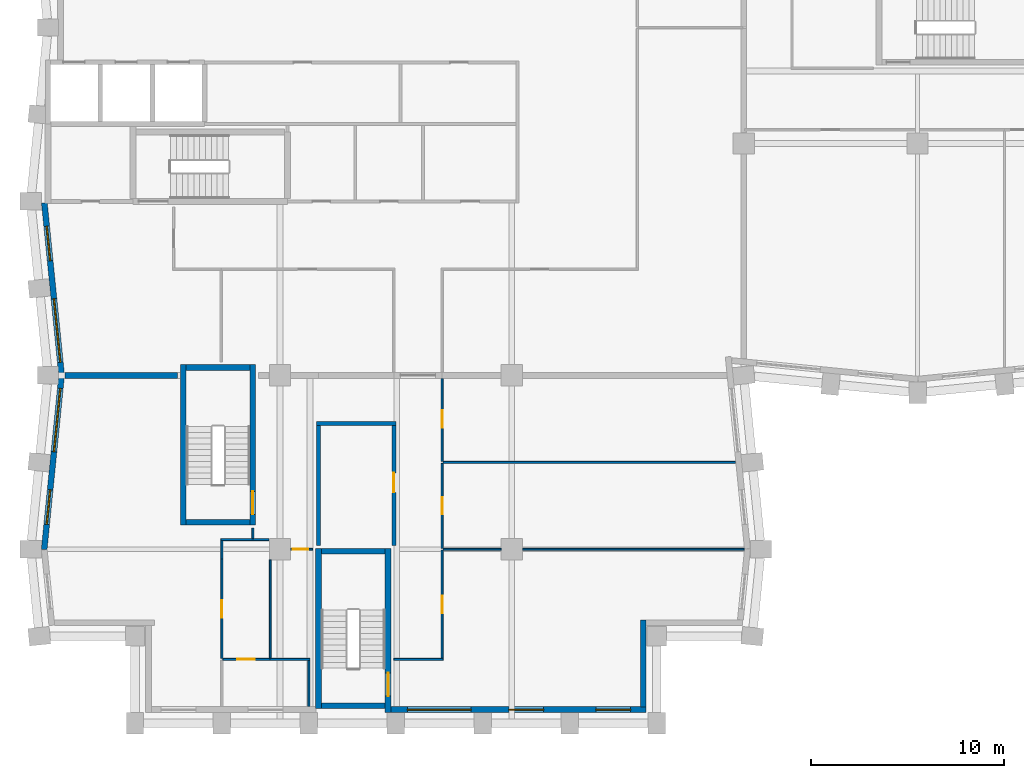
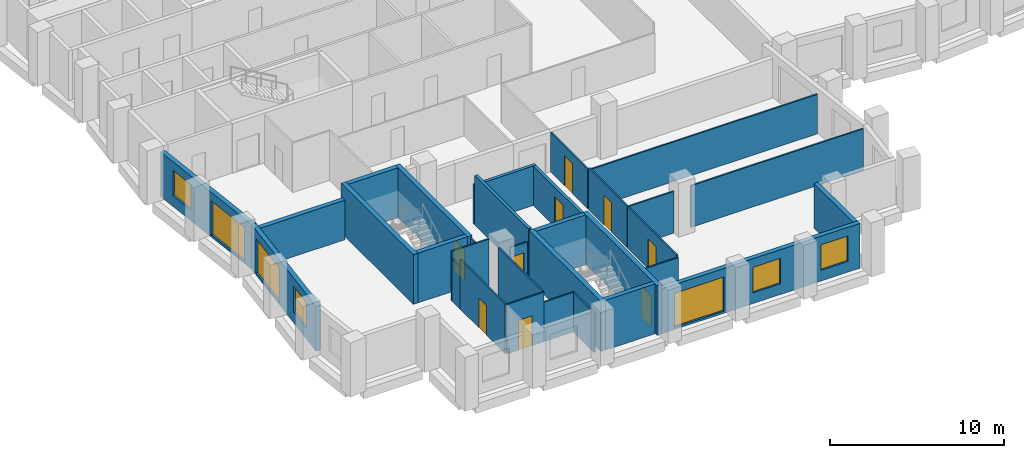
# One storey, part 3 of 10: 32 walls, 9 doors, 7 windows, 16 openings.
"""IFC4 building model written with IfcOpenShell, lengths in metres."""

from ifc_helpers import new_model, si_unit, direction, frame, frame_2d, origin, place, context, subcontext, project, spatial, rectangle, extrude, material, layer, layer_set, type_object, element, fill, save


model = new_model("IFC4")

# Units and contexts
model_context = context("Model", 3, precision=1e-05, world=origin(), true_north=direction((0.0, 1.0)))
body_context = subcontext(model_context, "Body", "Model", "MODEL_VIEW")
ifc_project = project(units=[si_unit("LENGTHUNIT", "METRE"), si_unit("AREAUNIT", "SQUARE_METRE"), si_unit("VOLUMEUNIT", "CUBIC_METRE"), si_unit("PLANEANGLEUNIT", "RADIAN"), si_unit("MASSUNIT", "GRAM", prefix="KILO")], contexts=[model_context])

# Site, building, storey
site_placement = place(None, origin())
site = spatial("IfcSite", under=ifc_project, at=site_placement, CompositionType="ELEMENT")
building_placement = place(site_placement, origin())
building = spatial("IfcBuilding", under=site, at=building_placement, Name="Brondeck Convention Tower", CompositionType="ELEMENT")
storey_placement = place(building_placement, frame((0.0, 0.0, 162.39990234375)))
storey = spatial("IfcBuildingStorey", under=building, at=storey_placement, Name="L39", CompositionType="ELEMENT", Elevation=162.39990234375)

# Wall
ifc_material_1 = material(Name="Concrete compartment wall C30/37", Category="concrete")
ifc_layer_1 = layer(ifc_material_1, 0.300048828125)
ifc_layer_set_1 = layer_set([ifc_layer_1], Name="Compartment wall 300")
wall_type_1 = type_object("IfcWallType", Name="Compartment wall 300", PredefinedType="PARTITIONING", material=ifc_layer_set_1)
wall_1_placement = place(storey_placement, frame((0.8740234375, 27.0, 0.0), z_axis=(0.0, 0.0, 1.0), x_axis=(1.0, 0.0, 0.0)))
element("IfcWall", 1, at=wall_1_placement, inside=storey, type_object=wall_type_1, Name="FLR-L39-W022", PredefinedType="PARTITIONING", context=body_context, shape_type="SweptSolid", body=[
    extrude(rectangle(XDim=5.825927734375, YDim=0.300048828125, at=frame_2d((2.9130859375, 0.0))), origin(), (0.0, 0.0, 1.0), 2.780029296875),
])

# Wall, openings, windows
ifc_material_2 = material(Name="Precast concrete C50/60 bronze finish", Category="concrete")
ifc_layer_2 = layer(ifc_material_2, 0.070068359375, Name="Bronze precast facing")
ifc_material_3 = material(Name="Mineral wool")
ifc_layer_3 = layer(ifc_material_3, 0.159912109375, Name="Insulation")
ifc_material_4 = material(Name="Concrete C35/45", Category="concrete")
ifc_layer_4 = layer(ifc_material_4, 0.070068359375, Name="Backing")
ifc_layer_set_2 = layer_set([ifc_layer_2, ifc_layer_3, ifc_layer_4], Name="External infill wall, precast concrete C50/60 bronze facing")
wall_type_2 = type_object("IfcWallType", Name="External infill wall, precast concrete C50/60 bronze facing", PredefinedType="SOLIDWALL", material=ifc_layer_set_2)
wall_2_placement = place(storey_placement, frame((30.949951171875, 9.699951171875, 0.0), z_axis=(0.0, 0.0, 1.0), x_axis=(-1.0, 0.0, 0.0)))
wall_2 = element("IfcWall", 2, at=wall_2_placement, inside=storey, type_object=wall_type_2, Name="ENV-EW-L39-P1-B-S9-04", PredefinedType="SOLIDWALL", context=body_context, shape_type="SweptSolid", body=[
    extrude(rectangle(XDim=13.199951171875, YDim=0.300048828125, at=frame_2d((6.60009765625, 0.0))), origin(), (0.0, 0.0, 1.0), 3.150146484375),
])
opening_1_placement = place(wall_2_placement, frame((0.800048828125, 0.0, 0.75)))
opening_1 = element("IfcOpeningElement", 3, at=opening_1_placement, cuts=wall_2, Name="Opening W10", PredefinedType="OPENING", context=body_context, shape_type="SweptSolid", body=[
    extrude(rectangle(XDim=1.800048828125, YDim=1.800048828125, at=frame_2d((0.89990234375, 0.89990234375))), frame((0.0, 0.159912109375, 0.0), z_axis=(0.0, -1.0, 0.0), x_axis=(1.0, 0.0, 0.0)), (0.0, 0.0, 1.0), 0.320068359375),
])
opening_2_placement = place(wall_2_placement, frame((5.300048828125, 0.0, 0.75)))
opening_2 = element("IfcOpeningElement", 4, at=opening_2_placement, cuts=wall_2, Name="Opening W10", PredefinedType="OPENING", context=body_context, shape_type="SweptSolid", body=[
    extrude(rectangle(XDim=1.800048828125, YDim=1.800048828125, at=frame_2d((0.89990234375, 0.89990234375))), frame((0.0, 0.159912109375, 0.0), z_axis=(0.0, -1.0, 0.0), x_axis=(1.0, 0.0, 0.0)), (0.0, 0.0, 1.0), 0.320068359375),
])
opening_3_placement = place(wall_2_placement, frame((9.050048828125, 0.0, 0.14990234375)))
opening_3 = element("IfcOpeningElement", 5, at=opening_3_placement, cuts=wall_2, Name="Opening W9", PredefinedType="OPENING", context=body_context, shape_type="SweptSolid", body=[
    extrude(rectangle(XDim=3.300048828125, YDim=2.39990234375, at=frame_2d((1.64990234375, 1.199951171875))), frame((0.0, 0.159912109375, 0.0), z_axis=(0.0, -1.0, 0.0), x_axis=(1.0, 0.0, 0.0)), (0.0, 0.0, 1.0), 0.320068359375),
])
ifc_material_5 = material(Name="Bronze tinted double glazing", Category="glass")
window_type_1 = type_object("IfcWindowType", Name="Glazed flute window, bronze tinted", PartitioningType="SINGLE_PANEL", PredefinedType="WINDOW", material=ifc_material_5)
window_1_placement = place(opening_3_placement, origin())
window_1 = element("IfcWindow", 6, at=window_1_placement, inside=storey, type_object=window_type_1, Name="ENV-WN-L39-P1-B-S9-04", OverallHeight=2.39990234375, OverallWidth=3.300048828125, PartitioningType="SINGLE_PANEL", PredefinedType="WINDOW", context=body_context, shape_type="SweptSolid", body=[
    extrude(rectangle(XDim=3.300048828125, YDim=2.39990234375, at=frame_2d((1.64990234375, 1.199951171875))), frame((0.0, 0.030029296875, 0.0), z_axis=(0.0, -1.0, 0.0), x_axis=(1.0, 0.0, 0.0)), (0.0, 0.0, 1.0), 0.06005859375),
])
fill(opening_3, window_1)
window_type_2 = type_object("IfcWindowType", Name="Punched window, bronze tinted", PartitioningType="SINGLE_PANEL", PredefinedType="WINDOW", material=ifc_material_5)
window_2_placement = place(opening_1_placement, origin())
window_2 = element("IfcWindow", 7, at=window_2_placement, inside=storey, type_object=window_type_2, Name="ENV-WN-L39-P1-B-S9-06", OverallHeight=1.800048828125, OverallWidth=1.800048828125, PartitioningType="SINGLE_PANEL", PredefinedType="WINDOW", context=body_context, shape_type="SweptSolid", body=[
    extrude(rectangle(XDim=1.800048828125, YDim=1.800048828125, at=frame_2d((0.89990234375, 0.89990234375))), frame((0.0, 0.030029296875, 0.0), z_axis=(0.0, -1.0, 0.0), x_axis=(1.0, 0.0, 0.0)), (0.0, 0.0, 1.0), 0.06005859375),
])
fill(opening_1, window_2)
window_3_placement = place(opening_2_placement, origin())
window_3 = element("IfcWindow", 8, at=window_3_placement, inside=storey, type_object=window_type_2, Name="ENV-WN-L39-P1-B-S9-05", OverallHeight=1.800048828125, OverallWidth=1.800048828125, PartitioningType="SINGLE_PANEL", PredefinedType="WINDOW", context=body_context, shape_type="SweptSolid", body=[
    extrude(rectangle(XDim=1.800048828125, YDim=1.800048828125, at=frame_2d((0.89990234375, 0.89990234375))), frame((0.0, 0.030029296875, 0.0), z_axis=(0.0, -1.0, 0.0), x_axis=(1.0, 0.0, 0.0)), (0.0, 0.0, 1.0), 0.06005859375),
])
fill(opening_2, window_3)

# Wall
wall_3_placement = place(storey_placement, frame((30.800048828125, 14.35009765625, 0.0), z_axis=(0.0, 0.0, 1.0), x_axis=(0.0, -1.0, 0.0)))
element("IfcWall", 9, at=wall_3_placement, inside=storey, type_object=wall_type_2, Name="ENV-EW-L39-P1-NC-SEB9-01", PredefinedType="SOLIDWALL", context=body_context, shape_type="SweptSolid", body=[
    extrude(rectangle(XDim=4.502197265625, YDim=0.300048828125, at=frame_2d((2.2509765625, 0.0))), origin(), (0.0, 0.0, 1.0), 3.150146484375),
])

# Wall, openings, windows
wall_4_placement = place(storey_placement, frame((0.705078125, 26.985107421875, 0.0), z_axis=(0.0, 0.0, 1.0), x_axis=(-0.099533329093, 0.995034228758, 0.0)))
wall_4 = element("IfcWall", 10, at=wall_4_placement, inside=storey, type_object=wall_type_2, Name="ENV-EW-L39-P1-B-W-06", PredefinedType="SOLIDWALL", context=body_context, shape_type="SweptSolid", body=[
    extrude(rectangle(XDim=8.97998046875, YDim=0.300048828125, at=frame_2d((4.489990234375, 0.0))), origin(), (0.0, 0.0, 1.0), 3.150146484375),
])
opening_4_placement = place(wall_4_placement, frame((0.6962890625, 0.0, 0.14990234375)))
opening_4 = element("IfcOpeningElement", 11, at=opening_4_placement, cuts=wall_4, Name="Opening W9", PredefinedType="OPENING", context=body_context, shape_type="SweptSolid", body=[
    extrude(rectangle(XDim=3.300048828125, YDim=2.39990234375, at=frame_2d((1.64990234375, 1.199951171875))), frame((0.0, 0.159912109375, 0.0), z_axis=(0.0, -1.0, 0.0), x_axis=(1.0, 0.0, 0.0)), (0.0, 0.0, 1.0), 0.320068359375),
])
opening_5_placement = place(wall_4_placement, frame((5.968505859375, 0.0, 0.75)))
opening_5 = element("IfcOpeningElement", 12, at=opening_5_placement, cuts=wall_4, Name="Opening W10", PredefinedType="OPENING", context=body_context, shape_type="SweptSolid", body=[
    extrude(rectangle(XDim=1.800048828125, YDim=1.800048828125, at=frame_2d((0.89990234375, 0.89990234375))), frame((0.0, 0.159912109375, 0.0), z_axis=(0.0, -1.0, 0.0), x_axis=(1.0, 0.0, 0.0)), (0.0, 0.0, 1.0), 0.320068359375),
])
window_4_placement = place(opening_4_placement, origin())
window_4 = element("IfcWindow", 13, at=window_4_placement, inside=storey, type_object=window_type_1, Name="ENV-WN-L39-P1-B-W-07", OverallHeight=2.39990234375, OverallWidth=3.300048828125, PartitioningType="SINGLE_PANEL", PredefinedType="WINDOW", context=body_context, shape_type="SweptSolid", body=[
    extrude(rectangle(XDim=3.300048828125, YDim=2.39990234375, at=frame_2d((1.64990234375, 1.199951171875))), frame((0.0, 0.030029296875, 0.0), z_axis=(0.0, -1.0, 0.0), x_axis=(1.0, 0.0, 0.0)), (0.0, 0.0, 1.0), 0.06005859375),
])
fill(opening_4, window_4)
window_5_placement = place(opening_5_placement, origin())
window_5 = element("IfcWindow", 14, at=window_5_placement, inside=storey, type_object=window_type_2, Name="ENV-WN-L39-P1-B-W-06", OverallHeight=1.800048828125, OverallWidth=1.800048828125, PartitioningType="SINGLE_PANEL", PredefinedType="WINDOW", context=body_context, shape_type="SweptSolid", body=[
    extrude(rectangle(XDim=1.800048828125, YDim=1.800048828125, at=frame_2d((0.89990234375, 0.89990234375))), frame((0.0, 0.030029296875, 0.0), z_axis=(0.0, -1.0, 0.0), x_axis=(1.0, 0.0, 0.0)), (0.0, 0.0, 1.0), 0.06005859375),
])
fill(opening_5, window_5)

wall_5_placement = place(storey_placement, frame((-0.197998046875, 17.985107421875, 0.0), z_axis=(0.0, 0.0, 1.0), x_axis=(0.099495688264, 0.995037993253, 0.0)))
wall_5 = element("IfcWall", 15, at=wall_5_placement, inside=storey, type_object=wall_type_2, Name="ENV-EW-L39-P1-B-W-08", PredefinedType="SOLIDWALL", context=body_context, shape_type="SweptSolid", body=[
    extrude(rectangle(XDim=9.030029296875, YDim=0.300048828125, at=frame_2d((4.51513671875, 0.0))), origin(), (0.0, 0.0, 1.0), 3.150146484375),
])
opening_6_placement = place(wall_5_placement, frame((1.30615234375, 0.0, 0.75)))
opening_6 = element("IfcOpeningElement", 16, at=opening_6_placement, cuts=wall_5, Name="Opening W10", PredefinedType="OPENING", context=body_context, shape_type="SweptSolid", body=[
    extrude(rectangle(XDim=1.800048828125, YDim=1.800048828125, at=frame_2d((0.89990234375, 0.89990234375))), frame((0.0, 0.159912109375, 0.0), z_axis=(0.0, -1.0, 0.0), x_axis=(1.0, 0.0, 0.0)), (0.0, 0.0, 1.0), 0.320068359375),
])
opening_7_placement = place(wall_5_placement, frame((5.07861328125, 0.0, 0.14990234375)))
opening_7 = element("IfcOpeningElement", 17, at=opening_7_placement, cuts=wall_5, Name="Opening W9", PredefinedType="OPENING", context=body_context, shape_type="SweptSolid", body=[
    extrude(rectangle(XDim=3.300048828125, YDim=2.39990234375, at=frame_2d((1.64990234375, 1.199951171875))), frame((0.0, 0.159912109375, 0.0), z_axis=(0.0, -1.0, 0.0), x_axis=(1.0, 0.0, 0.0)), (0.0, 0.0, 1.0), 0.320068359375),
])
window_6_placement = place(opening_7_placement, origin())
window_6 = element("IfcWindow", 18, at=window_6_placement, inside=storey, type_object=window_type_1, Name="ENV-WN-L39-P1-B-W-08", OverallHeight=2.39990234375, OverallWidth=3.300048828125, PartitioningType="SINGLE_PANEL", PredefinedType="WINDOW", context=body_context, shape_type="SweptSolid", body=[
    extrude(rectangle(XDim=3.300048828125, YDim=2.39990234375, at=frame_2d((1.64990234375, 1.199951171875))), frame((0.0, 0.030029296875, 0.0), z_axis=(0.0, -1.0, 0.0), x_axis=(1.0, 0.0, 0.0)), (0.0, 0.0, 1.0), 0.06005859375),
])
fill(opening_7, window_6)
window_7_placement = place(opening_6_placement, origin())
window_7 = element("IfcWindow", 19, at=window_7_placement, inside=storey, type_object=window_type_2, Name="ENV-WN-L39-P1-B-W-09", OverallHeight=1.800048828125, OverallWidth=1.800048828125, PartitioningType="SINGLE_PANEL", PredefinedType="WINDOW", context=body_context, shape_type="SweptSolid", body=[
    extrude(rectangle(XDim=1.800048828125, YDim=1.800048828125, at=frame_2d((0.89990234375, 0.89990234375))), frame((0.0, 0.030029296875, 0.0), z_axis=(0.0, -1.0, 0.0), x_axis=(1.0, 0.0, 0.0)), (0.0, 0.0, 1.0), 0.06005859375),
])
fill(opening_6, window_7)

# Wall, opening, door
ifc_material_6 = material(Name="Concrete block wall C16/20", Category="concrete")
ifc_layer_5 = layer(ifc_material_6, 0.199951171875)
ifc_layer_set_3 = layer_set([ifc_layer_5], Name="Plant room wall 200")
wall_type_3 = type_object("IfcWallType", Name="Plant room wall 200", PredefinedType="PARTITIONING", material=ifc_layer_set_3)
wall_6_placement = place(storey_placement, frame((17.89990234375, 18.199951171875, 0.0), z_axis=(0.0, 0.0, 1.0), x_axis=(0.0, 1.0, 0.0)))
wall_6 = element("IfcWall", 20, at=wall_6_placement, inside=storey, type_object=wall_type_3, Name="FLR-L39-W014", PredefinedType="PARTITIONING", context=body_context, shape_type="SweptSolid", body=[
    extrude(rectangle(XDim=6.199951171875, YDim=0.199951171875, at=frame_2d((3.10009765625, 0.0))), origin(), (0.0, 0.0, 1.0), 2.780029296875),
])
opening_8_placement = place(wall_6_placement, frame((2.75, 0.0, 0.0)))
opening_8 = element("IfcOpeningElement", 21, at=opening_8_placement, cuts=wall_6, Name="Opening OF-G-003", PredefinedType="OPENING", context=body_context, shape_type="SweptSolid", body=[
    extrude(rectangle(XDim=1.0, YDim=2.10009765625, at=frame_2d((0.5, 1.050048828125))), frame((0.0, 0.10986328125, 0.0), z_axis=(0.0, -1.0, 0.0), x_axis=(1.0, 0.0, 0.0)), (0.0, 0.0, 1.0), 0.219970703125),
])
ifc_material_7 = material(Name="Steel fire door leaf", Category="steel")
door_type_1 = type_object("IfcDoorType", Name="Plant room door 1000", OperationType="NOTDEFINED", PredefinedType="DOOR", material=ifc_material_7)
door_1_placement = place(opening_8_placement, origin())
door_1 = element("IfcDoor", 22, at=door_1_placement, inside=storey, type_object=door_type_1, Name="Door OF-G-003", OperationType="SINGLE_SWING_LEFT", OverallHeight=2.10009765625, OverallWidth=1.0, PredefinedType="DOOR", context=body_context, shape_type="SweptSolid", body=[
    extrude(rectangle(XDim=1.0, YDim=2.10009765625, at=frame_2d((0.5, 1.050048828125))), frame((0.0, 0.02490234375, 0.0), z_axis=(0.0, -1.0, 0.0), x_axis=(1.0, 0.0, 0.0)), (0.0, 0.0, 1.0), 0.050048828125),
])
fill(opening_8, door_1)

# Walls
wall_7_placement = place(storey_placement, frame((14.0, 24.39990234375, 0.0), z_axis=(0.0, 0.0, 1.0), x_axis=(0.0, -1.0, 0.0)))
element("IfcWall", 23, at=wall_7_placement, inside=storey, type_object=wall_type_3, Name="FLR-L39-W019", PredefinedType="PARTITIONING", context=body_context, shape_type="SweptSolid", body=[
    extrude(rectangle(XDim=6.199951171875, YDim=0.199951171875, at=frame_2d((3.10009765625, 0.0))), origin(), (0.0, 0.0, 1.0), 3.47998046875),
])
wall_8_placement = place(storey_placement, frame((18.0, 24.5, 0.0), z_axis=(0.0, 0.0, 1.0), x_axis=(-1.0, 0.0, 0.0)))
element("IfcWall", 24, at=wall_8_placement, inside=storey, type_object=wall_type_3, Name="FLR-L39-W020", PredefinedType="PARTITIONING", context=body_context, shape_type="SweptSolid", body=[
    extrude(rectangle(XDim=4.10009765625, YDim=0.199951171875, at=frame_2d((2.050048828125, 0.0))), origin(), (0.0, 0.0, 1.0), 2.780029296875),
])
ifc_material_8 = material(Name="Gypsum board partition on steel studs", Category="steel")
ifc_layer_6 = layer(ifc_material_8, 0.10009765625)
ifc_layer_set_4 = layer_set([ifc_layer_6], Name="Room partition 100")
wall_type_4 = type_object("IfcWallType", Name="Room partition 100", PredefinedType="PARTITIONING", material=ifc_layer_set_4)
wall_9_placement = place(storey_placement, frame((13.5, 12.25, 0.0), z_axis=(0.0, 0.0, 1.0), x_axis=(0.0, -1.0, 0.0)))
element("IfcWall", 25, at=wall_9_placement, inside=storey, type_object=wall_type_4, Name="FLR-L39-W003", PredefinedType="PARTITIONING", context=body_context, shape_type="SweptSolid", body=[
    extrude(rectangle(XDim=2.3798828125, YDim=0.10009765625, at=frame_2d((1.18994140625, 0.0))), origin(), (0.0, 0.0, 1.0), 2.780029296875),
])

# Wall, opening, door
wall_10_placement = place(storey_placement, frame((11.5, 12.300048828125, 0.0), z_axis=(0.0, 0.0, 1.0), x_axis=(-1.0, 0.0, 0.0)))
wall_10 = element("IfcWall", 26, at=wall_10_placement, inside=storey, type_object=wall_type_4, Name="FLR-L39-W004", PredefinedType="PARTITIONING", context=body_context, shape_type="SweptSolid", body=[
    extrude(rectangle(XDim=2.449951171875, YDim=0.10009765625, at=frame_2d((1.22509765625, 0.0))), origin(), (0.0, 0.0, 1.0), 3.47998046875),
])
opening_9_placement = place(wall_10_placement, frame((0.800048828125, 0.0, 0.0)))
opening_9 = element("IfcOpeningElement", 27, at=opening_9_placement, cuts=wall_10, Name="Opening OF-G-001", PredefinedType="OPENING", context=body_context, shape_type="SweptSolid", body=[
    extrude(rectangle(XDim=0.89990234375, YDim=2.10009765625, at=frame_2d((0.449951171875, 1.050048828125))), frame((0.0, 0.06005859375, 0.0), z_axis=(0.0, -1.0, 0.0), x_axis=(1.0, 0.0, 0.0)), (0.0, 0.0, 1.0), 0.1201171875),
])
ifc_material_9 = material(Name="Solid timber door leaf", Category="wood")
door_type_2 = type_object("IfcDoorType", Name="Single door 900", OperationType="NOTDEFINED", PredefinedType="DOOR", material=ifc_material_9)
door_2_placement = place(opening_9_placement, origin())
door_2 = element("IfcDoor", 28, at=door_2_placement, inside=storey, type_object=door_type_2, Name="Door OF-G-001", OperationType="SINGLE_SWING_RIGHT", OverallHeight=2.10009765625, OverallWidth=0.89990234375, PredefinedType="DOOR", context=body_context, shape_type="SweptSolid", body=[
    extrude(rectangle(XDim=0.89990234375, YDim=2.10009765625, at=frame_2d((0.449951171875, 1.050048828125))), frame((0.0, 0.02490234375, 0.0), z_axis=(0.0, -1.0, 0.0), x_axis=(1.0, 0.0, 0.0)), (0.0, 0.0, 1.0), 0.050048828125),
])
fill(opening_9, door_2)

# Walls
wall_11_placement = place(storey_placement, frame((11.5, 12.300048828125, 0.0), z_axis=(0.0, 0.0, 1.0), x_axis=(1.0, 0.0, 0.0)))
element("IfcWall", 29, at=wall_11_placement, inside=storey, type_object=wall_type_4, Name="FLR-L39-W005", PredefinedType="PARTITIONING", context=body_context, shape_type="SweptSolid", body=[
    extrude(rectangle(XDim=2.050048828125, YDim=0.10009765625, at=frame_2d((1.02490234375, 0.0))), origin(), (0.0, 0.0, 1.0), 2.780029296875),
])
wall_12_placement = place(storey_placement, frame((20.449951171875, 12.300048828125, 0.0), z_axis=(0.0, 0.0, 1.0), x_axis=(-1.0, 0.0, 0.0)))
element("IfcWall", 30, at=wall_12_placement, inside=storey, type_object=wall_type_4, Name="FLR-L39-W006", PredefinedType="PARTITIONING", context=body_context, shape_type="SweptSolid", body=[
    extrude(rectangle(XDim=2.550048828125, YDim=0.10009765625, at=frame_2d((1.27490234375, 0.0))), origin(), (0.0, 0.0, 1.0), 2.780029296875),
])

# Wall, opening, door
wall_13_placement = place(storey_placement, frame((9.0, 12.35009765625, 0.0), z_axis=(0.0, 0.0, 1.0), x_axis=(0.0, 1.0, 0.0)))
wall_13 = element("IfcWall", 31, at=wall_13_placement, inside=storey, type_object=wall_type_4, Name="FLR-L39-W007", PredefinedType="PARTITIONING", context=body_context, shape_type="SweptSolid", body=[
    extrude(rectangle(XDim=5.14990234375, YDim=0.10009765625, at=frame_2d((2.574951171875, 0.0))), origin(), (0.0, 0.0, 1.0), 3.47998046875),
])
opening_10_placement = place(wall_13_placement, frame((2.10009765625, 0.0, 0.0)))
opening_10 = element("IfcOpeningElement", 32, at=opening_10_placement, cuts=wall_13, Name="Opening OF-G-012", PredefinedType="OPENING", context=body_context, shape_type="SweptSolid", body=[
    extrude(rectangle(XDim=0.89990234375, YDim=2.10009765625, at=frame_2d((0.449951171875, 1.050048828125))), frame((0.0, 0.06005859375, 0.0), z_axis=(0.0, -1.0, 0.0), x_axis=(1.0, 0.0, 0.0)), (0.0, 0.0, 1.0), 0.1201171875),
])
door_3_placement = place(opening_10_placement, origin())
door_3 = element("IfcDoor", 33, at=door_3_placement, inside=storey, type_object=door_type_2, Name="Door OF-G-012", OperationType="SINGLE_SWING_RIGHT", OverallHeight=2.10009765625, OverallWidth=0.89990234375, PredefinedType="DOOR", context=body_context, shape_type="SweptSolid", body=[
    extrude(rectangle(XDim=0.89990234375, YDim=2.10009765625, at=frame_2d((0.449951171875, 1.050048828125))), frame((0.0, 0.02490234375, 0.0), z_axis=(0.0, -1.0, 0.0), x_axis=(1.0, 0.0, 0.0)), (0.0, 0.0, 1.0), 0.050048828125),
])
fill(opening_10, door_3)

# Walls
wall_14_placement = place(storey_placement, frame((11.5, 17.445068359375, 0.0), z_axis=(0.0, 0.0, 1.0), x_axis=(0.0, -1.0, 0.0)))
element("IfcWall", 34, at=wall_14_placement, inside=storey, type_object=wall_type_4, Name="FLR-L39-W008", PredefinedType="PARTITIONING", context=body_context, shape_type="SweptSolid", body=[
    extrude(rectangle(XDim=5.094970703125, YDim=0.10009765625, at=frame_2d((2.54736328125, 0.0))), origin(), (0.0, 0.0, 1.0), 3.47998046875),
])
wall_15_placement = place(storey_placement, frame((9.0, 17.5, 0.0), z_axis=(0.0, 0.0, 1.0), x_axis=(0.0, 1.0, 0.0)))
element("IfcWall", 35, at=wall_15_placement, inside=storey, type_object=wall_type_4, Name="FLR-L39-W009", PredefinedType="PARTITIONING", context=body_context, shape_type="SweptSolid", body=[
    extrude(rectangle(XDim=0.949951171875, YDim=0.10009765625, at=frame_2d((0.47509765625, 0.0))), origin(), (0.0, 0.0, 1.0), 2.93017578125),
])

# Wall, opening, door
wall_16_placement = place(storey_placement, frame((20.39990234375, 17.949951171875, 0.0), z_axis=(0.0, 0.0, 1.0), x_axis=(0.0, -1.0, 0.0)))
wall_16 = element("IfcWall", 36, at=wall_16_placement, inside=storey, type_object=wall_type_4, Name="FLR-L39-W010", PredefinedType="PARTITIONING", context=body_context, shape_type="SweptSolid", body=[
    extrude(rectangle(XDim=5.599853515625, YDim=0.10009765625, at=frame_2d((2.7998046875, 0.0))), origin(), (0.0, 0.0, 1.0), 2.93017578125),
])
opening_11_placement = place(wall_16_placement, frame((2.35009765625, 0.0, 0.0)))
opening_11 = element("IfcOpeningElement", 37, at=opening_11_placement, cuts=wall_16, Name="Opening OF-G-011", PredefinedType="OPENING", context=body_context, shape_type="SweptSolid", body=[
    extrude(rectangle(XDim=0.89990234375, YDim=2.10009765625, at=frame_2d((0.449951171875, 1.050048828125))), frame((0.0, 0.06005859375, 0.0), z_axis=(0.0, -1.0, 0.0), x_axis=(1.0, 0.0, 0.0)), (0.0, 0.0, 1.0), 0.1201171875),
])
door_4_placement = place(opening_11_placement, origin())
door_4 = element("IfcDoor", 38, at=door_4_placement, inside=storey, type_object=door_type_2, Name="Door OF-G-011", OperationType="SINGLE_SWING_LEFT", OverallHeight=2.10009765625, OverallWidth=0.89990234375, PredefinedType="DOOR", context=body_context, shape_type="SweptSolid", body=[
    extrude(rectangle(XDim=0.89990234375, YDim=2.10009765625, at=frame_2d((0.449951171875, 1.050048828125))), frame((0.0, 0.02490234375, 0.0), z_axis=(0.0, -1.0, 0.0), x_axis=(1.0, 0.0, 0.0)), (0.0, 0.0, 1.0), 0.050048828125),
])
fill(opening_11, door_4)

wall_17_placement = place(storey_placement, frame((13.699951171875, 18.0, 0.0), z_axis=(0.0, 0.0, 1.0), x_axis=(-1.0, 0.0, 0.0)))
wall_17 = element("IfcWall", 39, at=wall_17_placement, inside=storey, type_object=wall_type_4, Name="FLR-L39-W011", PredefinedType="PARTITIONING", context=body_context, shape_type="SweptSolid", body=[
    extrude(rectangle(XDim=1.14501953125, YDim=0.10009765625, at=frame_2d((0.572509765625, 0.0))), origin(), (0.0, 0.0, 1.0), 2.780029296875),
])
opening_12_placement = place(wall_17_placement, frame((0.2451171875, 0.0, 0.0)))
opening_12 = element("IfcOpeningElement", 40, at=opening_12_placement, cuts=wall_17, Name="Opening OF-G-004", PredefinedType="OPENING", context=body_context, shape_type="SweptSolid", body=[
    extrude(rectangle(XDim=0.800048828125, YDim=2.10009765625, at=frame_2d((0.39990234375, 1.050048828125))), frame((0.0, 0.06005859375, 0.0), z_axis=(0.0, -1.0, 0.0), x_axis=(1.0, 0.0, 0.0)), (0.0, 0.0, 1.0), 0.1201171875),
])
ifc_material_10 = material(Name="Steel service door leaf", Category="steel")
door_type_3 = type_object("IfcDoorType", Name="Service door 800", OperationType="NOTDEFINED", PredefinedType="DOOR", material=ifc_material_10)
door_5_placement = place(opening_12_placement, origin())
door_5 = element("IfcDoor", 41, at=door_5_placement, inside=storey, type_object=door_type_3, Name="Door OF-G-004", OperationType="SINGLE_SWING_LEFT", OverallHeight=2.10009765625, OverallWidth=0.800048828125, PredefinedType="DOOR", context=body_context, shape_type="SweptSolid", body=[
    extrude(rectangle(XDim=0.800048828125, YDim=2.10009765625, at=frame_2d((0.39990234375, 1.050048828125))), frame((0.0, 0.02490234375, 0.0), z_axis=(0.0, -1.0, 0.0), x_axis=(1.0, 0.0, 0.0)), (0.0, 0.0, 1.0), 0.050048828125),
])
fill(opening_12, door_5)

# Walls
wall_18_placement = place(storey_placement, frame((23.445068359375, 18.0, 0.0), z_axis=(0.0, 0.0, 1.0), x_axis=(-1.0, 0.0, 0.0)))
element("IfcWall", 42, at=wall_18_placement, inside=storey, type_object=wall_type_4, Name="FLR-L39-W012", PredefinedType="PARTITIONING", context=body_context, shape_type="SweptSolid", body=[
    extrude(rectangle(XDim=2.9951171875, YDim=0.10009765625, at=frame_2d((1.49755859375, 0.0))), origin(), (0.0, 0.0, 1.0), 2.93017578125),
])
wall_19_placement = place(storey_placement, frame((36.02587890625, 18.0, 0.0), z_axis=(0.0, 0.0, 1.0), x_axis=(-1.0, 0.0, 0.0)))
element("IfcWall", 43, at=wall_19_placement, inside=storey, type_object=wall_type_4, Name="FLR-L39-W013", PredefinedType="PARTITIONING", context=body_context, shape_type="SweptSolid", body=[
    extrude(rectangle(XDim=11.470947265625, YDim=0.10009765625, at=frame_2d((5.7353515625, 0.0))), origin(), (0.0, 0.0, 1.0), 2.93017578125),
])
wall_20_placement = place(storey_placement, frame((8.949951171875, 18.5, 0.0), z_axis=(0.0, 0.0, 1.0), x_axis=(1.0, 0.0, 0.0)))
element("IfcWall", 44, at=wall_20_placement, inside=storey, type_object=wall_type_4, Name="FLR-L39-W015", PredefinedType="PARTITIONING", context=body_context, shape_type="SweptSolid", body=[
    extrude(rectangle(XDim=2.47998046875, YDim=0.10009765625, at=frame_2d((1.239990234375, 0.0))), origin(), (0.0, 0.0, 1.0), 3.47998046875),
])
wall_21_placement = place(storey_placement, frame((10.60009765625, 18.550048828125, 0.0), z_axis=(0.0, 0.0, 1.0), x_axis=(0.0, 1.0, 0.0)))
element("IfcWall", 45, at=wall_21_placement, inside=storey, type_object=wall_type_4, Name="FLR-L39-W016", PredefinedType="PARTITIONING", context=body_context, shape_type="SweptSolid", body=[
    extrude(rectangle(XDim=0.550048828125, YDim=0.10009765625, at=frame_2d((0.27490234375, 0.0))), origin(), (0.0, 0.0, 1.0), 3.47998046875),
])

# Wall, opening, door
wall_22_placement = place(storey_placement, frame((20.39990234375, 22.449951171875, 0.0), z_axis=(0.0, 0.0, 1.0), x_axis=(0.0, -1.0, 0.0)))
wall_22 = element("IfcWall", 46, at=wall_22_placement, inside=storey, type_object=wall_type_4, Name="FLR-L39-W017", PredefinedType="PARTITIONING", context=body_context, shape_type="SweptSolid", body=[
    extrude(rectangle(XDim=4.39990234375, YDim=0.10009765625, at=frame_2d((2.199951171875, 0.0))), origin(), (0.0, 0.0, 1.0), 2.93017578125),
])
opening_13_placement = place(wall_22_placement, frame((1.75, 0.0, 0.0)))
opening_13 = element("IfcOpeningElement", 47, at=opening_13_placement, cuts=wall_22, Name="Opening OF-G-010", PredefinedType="OPENING", context=body_context, shape_type="SweptSolid", body=[
    extrude(rectangle(XDim=0.89990234375, YDim=2.10009765625, at=frame_2d((0.449951171875, 1.050048828125))), frame((0.0, 0.06005859375, 0.0), z_axis=(0.0, -1.0, 0.0), x_axis=(1.0, 0.0, 0.0)), (0.0, 0.0, 1.0), 0.1201171875),
])
door_6_placement = place(opening_13_placement, origin())
door_6 = element("IfcDoor", 48, at=door_6_placement, inside=storey, type_object=door_type_2, Name="Door OF-G-010", OperationType="SINGLE_SWING_RIGHT", OverallHeight=2.10009765625, OverallWidth=0.89990234375, PredefinedType="DOOR", context=body_context, shape_type="SweptSolid", body=[
    extrude(rectangle(XDim=0.89990234375, YDim=2.10009765625, at=frame_2d((0.449951171875, 1.050048828125))), frame((0.0, 0.02490234375, 0.0), z_axis=(0.0, -1.0, 0.0), x_axis=(1.0, 0.0, 0.0)), (0.0, 0.0, 1.0), 0.050048828125),
])
fill(opening_13, door_6)

# Wall
wall_23_placement = place(storey_placement, frame((35.57568359375, 22.5, 0.0), z_axis=(0.0, 0.0, 1.0), x_axis=(-1.0, 0.0, 0.0)))
element("IfcWall", 49, at=wall_23_placement, inside=storey, type_object=wall_type_4, Name="FLR-L39-W018", PredefinedType="PARTITIONING", context=body_context, shape_type="SweptSolid", body=[
    extrude(rectangle(XDim=15.125732421875, YDim=0.10009765625, at=frame_2d((7.56298828125, 0.0))), origin(), (0.0, 0.0, 1.0), 2.780029296875),
])

# Wall, opening, door
wall_24_placement = place(storey_placement, frame((20.39990234375, 26.830078125, 0.0), z_axis=(0.0, 0.0, 1.0), x_axis=(0.0, -1.0, 0.0)))
wall_24 = element("IfcWall", 50, at=wall_24_placement, inside=storey, type_object=wall_type_4, Name="FLR-L39-W021", PredefinedType="PARTITIONING", context=body_context, shape_type="SweptSolid", body=[
    extrude(rectangle(XDim=4.280029296875, YDim=0.10009765625, at=frame_2d((2.14013671875, 0.0))), origin(), (0.0, 0.0, 1.0), 2.780029296875),
])
opening_14_placement = place(wall_24_placement, frame((1.6298828125, 0.0, 0.0)))
opening_14 = element("IfcOpeningElement", 51, at=opening_14_placement, cuts=wall_24, Name="Opening OF-G-009", PredefinedType="OPENING", context=body_context, shape_type="SweptSolid", body=[
    extrude(rectangle(XDim=0.89990234375, YDim=2.10009765625, at=frame_2d((0.449951171875, 1.050048828125))), frame((0.0, 0.06005859375, 0.0), z_axis=(0.0, -1.0, 0.0), x_axis=(1.0, 0.0, 0.0)), (0.0, 0.0, 1.0), 0.1201171875),
])
door_7_placement = place(opening_14_placement, origin())
door_7 = element("IfcDoor", 52, at=door_7_placement, inside=storey, type_object=door_type_2, Name="Door OF-G-009", OperationType="SINGLE_SWING_LEFT", OverallHeight=2.10009765625, OverallWidth=0.89990234375, PredefinedType="DOOR", context=body_context, shape_type="SweptSolid", body=[
    extrude(rectangle(XDim=0.89990234375, YDim=2.10009765625, at=frame_2d((0.449951171875, 1.050048828125))), frame((0.0, 0.02490234375, 0.0), z_axis=(0.0, -1.0, 0.0), x_axis=(1.0, 0.0, 0.0)), (0.0, 0.0, 1.0), 0.050048828125),
])
fill(opening_14, door_7)

# Walls
ifc_material_11 = material(Name="Concrete C70/85", Category="concrete")
ifc_layer_7 = layer(ifc_material_11, 0.300048828125)
ifc_layer_set_5 = layer_set([ifc_layer_7], Name="Stair enclosure wall 300 Concrete C70/85")
wall_type_5 = type_object("IfcWallType", Name="Stair enclosure wall 300 Concrete C70/85", PredefinedType="SHEAR", material=ifc_layer_set_5)
for number, where, z_axis, x_axis, name in (
    (53, (14.14990234375, 9.89990234375, 0.0), (0.0, 0.0, 1.0), (1.0, 0.0, 0.0), "L39 core wall"),
    (54, (14.14990234375, 17.89990234375, 0.0), (0.0, 0.0, 1.0), (1.0, 0.0, 0.0), "L39 core wall"),
    (55, (7.14990234375, 19.39990234375, 0.0), (0.0, 0.0, 1.0), (1.0, 0.0, 0.0), "L39 core wall"),
    (56, (7.14990234375, 27.39990234375, 0.0), (0.0, 0.0, 1.0), (1.0, 0.0, 0.0), "L39 core wall"),
):
    element("IfcWall", number, at=place(storey_placement, frame(where, z_axis=z_axis, x_axis=x_axis)), inside=storey, type_object=wall_type_5, Name=name, PredefinedType="SHEAR", context=body_context, shape_type="SweptSolid", body=[
        extrude(rectangle(XDim=3.300048828125, YDim=0.300048828125, at=frame_2d((1.64990234375, 0.0))), origin(), (0.0, 0.0, 1.0), 3.5),
    ])
wall_25_placement = place(storey_placement, frame((7.0, 19.25, 0.0), z_axis=(0.0, 0.0, 1.0), x_axis=(0.0, 1.0, 0.0)))
element("IfcWall", 57, at=wall_25_placement, inside=storey, type_object=wall_type_5, Name="L39 core wall", PredefinedType="SHEAR", context=body_context, shape_type="SweptSolid", body=[
    extrude(rectangle(XDim=8.300048828125, YDim=0.300048828125, at=frame_2d((4.14990234375, 0.0))), origin(), (0.0, 0.0, 1.0), 3.5),
])

# Wall, opening, door
wall_26_placement = place(storey_placement, frame((10.60009765625, 19.25, 0.0), z_axis=(0.0, 0.0, 1.0), x_axis=(0.0, 1.0, 0.0)))
wall_26 = element("IfcWall", 58, at=wall_26_placement, inside=storey, type_object=wall_type_5, Name="L39 core wall", PredefinedType="SHEAR", context=body_context, shape_type="SweptSolid", body=[
    extrude(rectangle(XDim=8.300048828125, YDim=0.300048828125, at=frame_2d((4.14990234375, 0.0))), origin(), (0.0, 0.0, 1.0), 3.5),
])
opening_15_placement = place(wall_26_placement, frame((0.550048828125, 0.0, 0.0)))
opening_15 = element("IfcOpeningElement", 59, at=opening_15_placement, cuts=wall_26, Name="Opening C22-17", PredefinedType="OPENING", context=body_context, shape_type="SweptSolid", body=[
    extrude(rectangle(XDim=1.199951171875, YDim=2.199951171875, at=frame_2d((0.60009765625, 1.10009765625))), frame((0.0, 0.159912109375, 0.0), z_axis=(0.0, -1.0, 0.0), x_axis=(1.0, 0.0, 0.0)), (0.0, 0.0, 1.0), 0.320068359375),
])
ifc_material_12 = material(Name="Steel fire door", Category="steel")
door_type_4 = type_object("IfcDoorType", Name="Stair door 1200x2200 EI 90", OperationType="NOTDEFINED", PredefinedType="DOOR", material=ifc_material_12)
door_8_placement = place(opening_15_placement, origin())
door_8 = element("IfcDoor", 60, at=door_8_placement, inside=storey, type_object=door_type_4, Name="L39 Stair door ST-BE", OperationType="SINGLE_SWING_RIGHT", OverallHeight=2.199951171875, OverallWidth=1.199951171875, PredefinedType="DOOR", context=body_context, shape_type="SweptSolid", body=[
    extrude(rectangle(XDim=1.199951171875, YDim=2.199951171875, at=frame_2d((0.60009765625, 1.10009765625))), frame((0.0, 0.02490234375, 0.0), z_axis=(0.0, -1.0, 0.0), x_axis=(1.0, 0.0, 0.0)), (0.0, 0.0, 1.0), 0.050048828125),
])
fill(opening_15, door_8)

# Wall
wall_27_placement = place(storey_placement, frame((14.0, 9.75, 0.0), z_axis=(0.0, 0.0, 1.0), x_axis=(0.0, 1.0, 0.0)))
element("IfcWall", 61, at=wall_27_placement, inside=storey, type_object=wall_type_5, Name="L39 core wall", PredefinedType="SHEAR", context=body_context, shape_type="SweptSolid", body=[
    extrude(rectangle(XDim=8.300048828125, YDim=0.300048828125, at=frame_2d((4.14990234375, 0.0))), origin(), (0.0, 0.0, 1.0), 3.5),
])

# Wall, opening, door
wall_28_placement = place(storey_placement, frame((17.60009765625, 9.550048828125, 0.0), z_axis=(0.0, 0.0, 1.0), x_axis=(0.0, 1.0, 0.0)))
wall_28 = element("IfcWall", 62, at=wall_28_placement, inside=storey, type_object=wall_type_5, Name="L39 core wall", PredefinedType="SHEAR", context=body_context, shape_type="SweptSolid", body=[
    extrude(rectangle(XDim=8.5, YDim=0.300048828125, at=frame_2d((4.25, 0.0))), origin(), (0.0, 0.0, 1.0), 3.5),
])
opening_16_placement = place(wall_28_placement, frame((0.85009765625, 0.0, 0.0)))
opening_16 = element("IfcOpeningElement", 63, at=opening_16_placement, cuts=wall_28, Name="Opening C22-18", PredefinedType="OPENING", context=body_context, shape_type="SweptSolid", body=[
    extrude(rectangle(XDim=1.199951171875, YDim=2.199951171875, at=frame_2d((0.60009765625, 1.10009765625))), frame((0.0, 0.159912109375, 0.0), z_axis=(0.0, -1.0, 0.0), x_axis=(1.0, 0.0, 0.0)), (0.0, 0.0, 1.0), 0.320068359375),
])
door_9_placement = place(opening_16_placement, origin())
door_9 = element("IfcDoor", 64, at=door_9_placement, inside=storey, type_object=door_type_4, Name="L39 Stair door ST-BF", OperationType="SINGLE_SWING_LEFT", OverallHeight=2.199951171875, OverallWidth=1.199951171875, PredefinedType="DOOR", context=body_context, shape_type="SweptSolid", body=[
    extrude(rectangle(XDim=1.199951171875, YDim=2.199951171875, at=frame_2d((0.60009765625, 1.10009765625))), frame((0.0, 0.02490234375, 0.0), z_axis=(0.0, -1.0, 0.0), x_axis=(1.0, 0.0, 0.0)), (0.0, 0.0, 1.0), 0.050048828125),
])
fill(opening_16, door_9)

save(model, "model.ifc")
